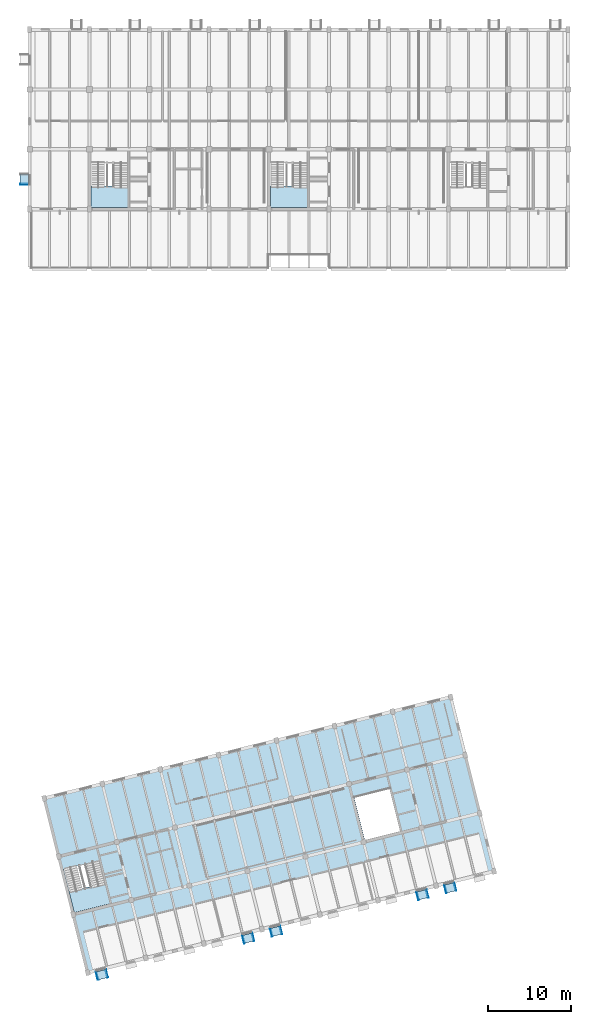
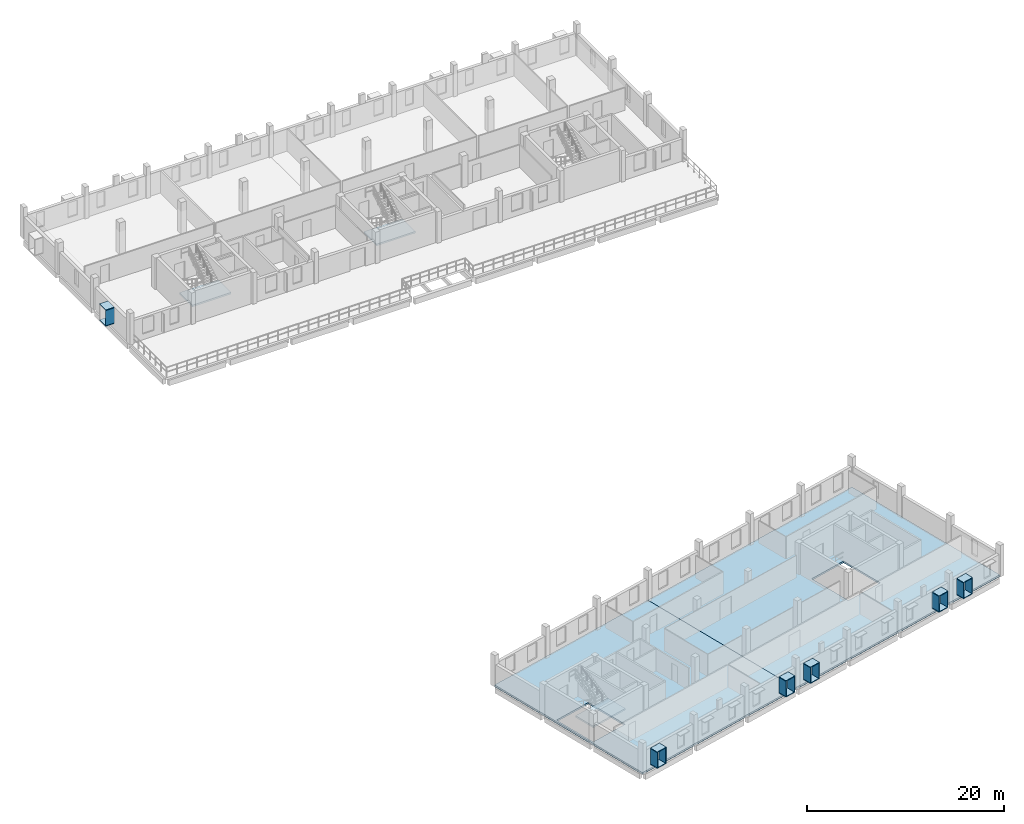
# One storey, part 4 of 14: 23 plates, 5 slabs, 3 elements without a shape of their own.
"""IFC4 building model written with IfcOpenShell, lengths in metres."""

from ifc_helpers import new_model, si_unit, direction, frame, origin, origin_2d, place, context, subcontext, project, spatial, polyline, rectangle, outline, extrude, material, layer, layer_set, type_object, element, aggregate, save


model = new_model("IFC4")

# Units and contexts
model_context = context("Model", 3, precision=1e-05, world=origin(), true_north=direction((0.0, 1.0)))
body_context = subcontext(model_context, "Body", "Model", "MODEL_VIEW")
ifc_project = project(units=[si_unit("LENGTHUNIT", "METRE"), si_unit("AREAUNIT", "SQUARE_METRE"), si_unit("VOLUMEUNIT", "CUBIC_METRE"), si_unit("PLANEANGLEUNIT", "RADIAN"), si_unit("MASSUNIT", "GRAM", prefix="KILO")], contexts=[model_context])

# Site, building, storey
site_placement = place(None, origin())
site = spatial("IfcSite", under=ifc_project, at=site_placement, CompositionType="ELEMENT")
building_placement = place(site_placement, origin())
building = spatial("IfcBuilding", under=site, at=building_placement, Name="Qiaolan Assembly House", CompositionType="ELEMENT")
storey_placement = place(building_placement, frame((0.0, 0.0, 22.5)))
storey = spatial("IfcBuildingStorey", under=building, at=storey_placement, Name="L05", CompositionType="ELEMENT", Elevation=22.5)

# Plates
ifc_material_1 = material(Name="Honed pale limestone", Category="masonry")
ifc_layer_1 = layer(ifc_material_1, 0.0849609375)
ifc_layer_set_1 = layer_set([ifc_layer_1], Name="Honed pale limestone")
plate_type_1 = type_object("IfcPlateType", Name="PLT-WINBOX-CHEEK", PredefinedType="SHEET", material=ifc_layer_set_1)
plate_placement = place(storey_placement, frame((35.340087890625, 96.607421875, 0.7001953125), z_axis=(0.0, 0.0, 1.0), x_axis=(1.0, 0.0, 0.0)))
element("IfcPlate", 1, at=plate_placement, inside=storey, type_object=plate_type_1, Name="WB-02 projecting window-box left cheek NWW-L05-00", PredefinedType="SHEET", context=body_context, shape_type="SweptSolid", body=[
    extrude(rectangle(XDim=1.0, YDim=0.0849609375, at=origin_2d()), origin(), (0.0, 0.0, 1.0), 1.889892578125),
])
for number, where, z_axis, x_axis, name in (
    (2, (44.123291015625, 1.34521484375, 0.7001953125), (0.0, 0.0, 1.0), (0.970295726276, 0.2419218956, 0.0), "WB-02 projecting window-box cheek CL SES-L05-00-0"),
    (3, (45.273193359375, 1.6318359375, 0.7001953125), (0.0, 0.0, 1.0), (0.970295726276, 0.2419218956, 0.0), "WB-02 projecting window-box cheek CR SES-L05-00-0"),
    (4, (61.734130859375, 5.736083984375, 0.7001953125), (0.0, 0.0, 1.0), (0.970295726276, 0.2419218956, 0.0), "WB-02 projecting window-box cheek CL SES-L05-02-2"),
    (5, (62.884033203125, 6.022705078125, 0.7001953125), (0.0, 0.0, 1.0), (0.970295726276, 0.2419218956, 0.0), "WB-02 projecting window-box cheek CR SES-L05-02-2"),
    (6, (65.081787109375, 6.57080078125, 0.7001953125), (0.0, 0.0, 1.0), (0.970295726276, 0.2419218956, 0.0), "WB-02 projecting window-box cheek CL SES-L05-03-0"),
    (7, (66.2314453125, 6.857421875, 0.7001953125), (0.0, 0.0, 1.0), (0.970295726276, 0.2419218956, 0.0), "WB-02 projecting window-box cheek CR SES-L05-03-0"),
    (8, (82.692626953125, 10.961669921875, 0.7001953125), (0.0, 0.0, 1.0), (0.970295726276, 0.2419218956, 0.0), "WB-02 projecting window-box cheek CL SES-L05-05-2"),
    (9, (83.842529296875, 11.248291015625, 0.7001953125), (0.0, 0.0, 1.0), (0.970295726276, 0.2419218956, 0.0), "WB-02 projecting window-box cheek CR SES-L05-05-2"),
    (10, (86.0400390625, 11.796142578125, 0.7001953125), (0.0, 0.0, 1.0), (0.970295726276, 0.2419218956, 0.0), "WB-02 projecting window-box cheek CL SES-L05-06-0"),
    (11, (87.18994140625, 12.082763671875, 0.7001953125), (0.0, 0.0, 1.0), (0.970295726276, 0.2419218956, 0.0), "WB-02 projecting window-box cheek CR SES-L05-06-0"),
):
    element("IfcPlate", number, at=place(storey_placement, frame(where, z_axis=z_axis, x_axis=x_axis)), inside=storey, type_object=plate_type_1, Name=name, PredefinedType="SHEET", context=body_context, shape_type="SweptSolid", body=[
        extrude(rectangle(XDim=0.0849609375, YDim=1.0, at=origin_2d()), origin(), (0.0, 0.0, 1.0), 1.889892578125),
    ])
ifc_layer_2 = layer(ifc_material_1, 0.080078125)
ifc_layer_set_2 = layer_set([ifc_layer_2], Name="Honed pale limestone")
plate_type_2 = type_object("IfcPlateType", Name="PLT-WINBOX-SURROUND", PredefinedType="SHEET", material=ifc_layer_set_2)
for number, where, name in (
    (12, (0.0, 0.0, 0.6201171875), "WB-01 projecting limestone window-box sill NWW-L05-00"),
    (13, (0.0, 0.0, 2.590087890625), "WB-01 projecting limestone window-box hood NWW-L05-00"),
):
    element("IfcPlate", number, at=place(storey_placement, frame(where)), inside=storey, type_object=plate_type_2, Name=name, PredefinedType="SHEET", context=body_context, shape_type="SweptSolid", body=[
        extrude(outline(polyline([(34.840087890625, 96.56494140625), (34.840087890625, 97.8349609375), (35.840087890625, 97.8349609375), (35.840087890625, 96.56494140625), (34.840087890625, 96.56494140625)])), origin(), (0.0, 0.0, 1.0), 0.079833984375),
    ])
for number, where, name in (
    (14, (0.0, 0.0, 0.6201171875), "WB-01 projecting limestone window-box sill SES-L05-00-0"),
    (15, (0.0, 0.0, 2.590087890625), "WB-01 projecting limestone window-box hood SES-L05-00-0"),
):
    element("IfcPlate", number, at=place(storey_placement, frame(where)), inside=storey, type_object=plate_type_2, Name=name, PredefinedType="SHEET", context=body_context, shape_type="SweptSolid", body=[
        extrude(outline(polyline([(44.203125, 0.849853515625), (45.435302734375, 1.156982421875), (45.193359375, 2.127197265625), (43.961181640625, 1.820068359375), (44.203125, 0.849853515625)])), origin(), (0.0, 0.0, 1.0), 0.079833984375),
    ])
for number, where, name in (
    (16, (0.0, 0.0, 0.6201171875), "WB-01 projecting limestone window-box sill SES-L05-02-2"),
    (17, (0.0, 0.0, 2.590087890625), "WB-01 projecting limestone window-box hood SES-L05-02-2"),
):
    element("IfcPlate", number, at=place(storey_placement, frame(where)), inside=storey, type_object=plate_type_2, Name=name, PredefinedType="SHEET", context=body_context, shape_type="SweptSolid", body=[
        extrude(outline(polyline([(61.81396484375, 5.24072265625), (63.046142578125, 5.5478515625), (62.80419921875, 6.51806640625), (61.572021484375, 6.2109375), (61.81396484375, 5.24072265625)])), origin(), (0.0, 0.0, 1.0), 0.079833984375),
    ])
for number, where, name in (
    (18, (0.0, 0.0, 0.6201171875), "WB-01 projecting limestone window-box sill SES-L05-03-0"),
    (19, (0.0, 0.0, 2.590087890625), "WB-01 projecting limestone window-box hood SES-L05-03-0"),
):
    element("IfcPlate", number, at=place(storey_placement, frame(where)), inside=storey, type_object=plate_type_2, Name=name, PredefinedType="SHEET", context=body_context, shape_type="SweptSolid", body=[
        extrude(outline(polyline([(65.161376953125, 6.0751953125), (66.393798828125, 6.382568359375), (66.15185546875, 7.352783203125), (64.919677734375, 7.045654296875), (65.161376953125, 6.0751953125)])), origin(), (0.0, 0.0, 1.0), 0.079833984375),
    ])
for number, where, name in (
    (20, (0.0, 0.0, 0.6201171875), "WB-01 projecting limestone window-box sill SES-L05-05-2"),
    (21, (0.0, 0.0, 2.590087890625), "WB-01 projecting limestone window-box hood SES-L05-05-2"),
):
    element("IfcPlate", number, at=place(storey_placement, frame(where)), inside=storey, type_object=plate_type_2, Name=name, PredefinedType="SHEET", context=body_context, shape_type="SweptSolid", body=[
        extrude(outline(polyline([(82.7724609375, 10.466064453125), (84.004638671875, 10.7734375), (83.7626953125, 11.74365234375), (82.530517578125, 11.4365234375), (82.7724609375, 10.466064453125)])), origin(), (0.0, 0.0, 1.0), 0.079833984375),
    ])
for number, where, name in (
    (22, (0.0, 0.0, 0.6201171875), "WB-01 projecting limestone window-box sill SES-L05-06-0"),
    (23, (0.0, 0.0, 2.590087890625), "WB-01 projecting limestone window-box hood SES-L05-06-0"),
):
    element("IfcPlate", number, at=place(storey_placement, frame(where)), inside=storey, type_object=plate_type_2, Name=name, PredefinedType="SHEET", context=body_context, shape_type="SweptSolid", body=[
        extrude(outline(polyline([(86.119873046875, 11.30078125), (87.35205078125, 11.60791015625), (87.110107421875, 12.578369140625), (85.8779296875, 12.27099609375), (86.119873046875, 11.30078125)])), origin(), (0.0, 0.0, 1.0), 0.079833984375),
    ])

# Stair, slab
ifc_material_2 = material(Name="Concrete C40/50", Category="concrete")
stair_type = type_object("IfcStairType", Name="STR-UPPER-390", PredefinedType="HALF_TURN_STAIR", material=ifc_material_2)
stair_1_placement = place(storey_placement, origin())
stair_1 = element("IfcStair", 24, at=stair_1_placement, inside=storey, type_object=stair_type, Name="ST-08 enclosed egress stair CORE-A L05", PredefinedType="HALF_TURN_STAIR")
ifc_layer_3 = layer(ifc_material_2, 0.199951171875)
ifc_layer_set_3 = layer_set([ifc_layer_3], Name="Concrete C40/50")
slab_type_1 = type_object("IfcSlabType", Name="SLB-LANDING-200", PredefinedType="LANDING", material=ifc_layer_set_3)
slab_1_placement = place(storey_placement, frame((0.0, 0.0, 1.75)))
slab_1 = element("IfcSlab", 25, at=slab_1_placement, type_object=slab_type_1, Name="Stair landing LND-CORE-A-L05-HL", PredefinedType="LANDING", context=body_context, shape_type="SweptSolid", body=[
    extrude(outline(polyline([(43.3798828125, 93.780029296875), (43.3798828125, 96.375), (47.919921875, 96.375), (47.919921875, 93.780029296875), (43.3798828125, 93.780029296875)])), origin(), (0.0, 0.0, 1.0), 0.199951171875),
])
aggregate(stair_1, [slab_1])

stair_2_placement = place(storey_placement, origin())
stair_2 = element("IfcStair", 26, at=stair_2_placement, inside=storey, type_object=stair_type, Name="ST-08 enclosed egress stair CORE-B L05", PredefinedType="HALF_TURN_STAIR")
slab_2_placement = place(storey_placement, frame((0.0, 0.0, 1.75)))
slab_2 = element("IfcSlab", 27, at=slab_2_placement, type_object=slab_type_1, Name="Stair landing LND-CORE-B-L05-HL", PredefinedType="LANDING", context=body_context, shape_type="SweptSolid", body=[
    extrude(outline(polyline([(64.97998046875, 93.780029296875), (64.97998046875, 96.375), (69.52001953125, 96.375), (69.52001953125, 93.780029296875), (64.97998046875, 93.780029296875)])), origin(), (0.0, 0.0, 1.0), 0.199951171875),
])
aggregate(stair_2, [slab_2])

stair_3_placement = place(storey_placement, origin())
stair_3 = element("IfcStair", 28, at=stair_3_placement, inside=storey, type_object=stair_type, Name="ST-08 enclosed egress stair CORE-C L05", PredefinedType="HALF_TURN_STAIR")
slab_3_placement = place(storey_placement, frame((0.0, 0.0, 1.75)))
slab_3 = element("IfcSlab", 29, at=slab_3_placement, type_object=slab_type_1, Name="Stair landing LND-CORE-C-L05-HL", PredefinedType="LANDING", context=body_context, shape_type="SweptSolid", body=[
    extrude(outline(polyline([(41.37548828125, 8.946044921875), (40.74755859375, 11.464111328125), (45.15283203125, 12.5625), (45.780517578125, 10.04443359375), (41.37548828125, 8.946044921875)])), origin(), (0.0, 0.0, 1.0), 0.199951171875),
])
aggregate(stair_3, [slab_3])

# Slabs
ifc_layer_4 = layer(ifc_material_2, 0.215087890625)
ifc_layer_set_4 = layer_set([ifc_layer_4], Name="Concrete C40/50")
slab_type_2 = type_object("IfcSlabType", Name="SLB-SE-FLOOR-215", PredefinedType="FLOOR", material=ifc_layer_set_4)
slab_4_placement = place(storey_placement, frame((0.0, 0.0, -0.215087890625)))
element("IfcSlab", 30, at=slab_4_placement, inside=storey, type_object=slab_type_2, Name="FS-07 South-East Splayed Wing West Plate L05", PredefinedType="FLOOR", context=body_context, shape_type="SweptSolid", body=[
    extrude(outline(polyline([(42.986083984375, 1.741943359375), (63.944580078125, 6.96728515625), (58.718994140625, 27.92578125), (37.760498046875, 22.7001953125), (42.986083984375, 1.741943359375)]), holes=[polyline([(40.095703125, 14.161376953125), (44.442626953125, 15.245361328125), (45.73681640625, 10.05419921875), (41.389892578125, 8.970458984375), (40.095703125, 14.161376953125)])]), origin(), (0.0, 0.0, 1.0), 0.215087890625),
])
slab_5_placement = place(storey_placement, frame((0.0, 0.0, -0.215087890625)))
element("IfcSlab", 31, at=slab_5_placement, inside=storey, type_object=slab_type_2, Name="FS-07 South-East Splayed Wing East Plate L05", PredefinedType="FLOOR", context=body_context, shape_type="SweptSolid", body=[
    extrude(outline(polyline([(63.944580078125, 6.96728515625), (91.888916015625, 13.934814453125), (86.66357421875, 34.89306640625), (58.718994140625, 27.92578125), (63.944580078125, 6.96728515625)]), holes=[polyline([(75.0263671875, 22.87060546875), (79.373291015625, 23.95458984375), (80.66748046875, 18.763427734375), (76.320556640625, 17.6796875), (75.0263671875, 22.87060546875)])]), origin(), (0.0, 0.0, 1.0), 0.215087890625),
])

save(model, "model.ifc")
